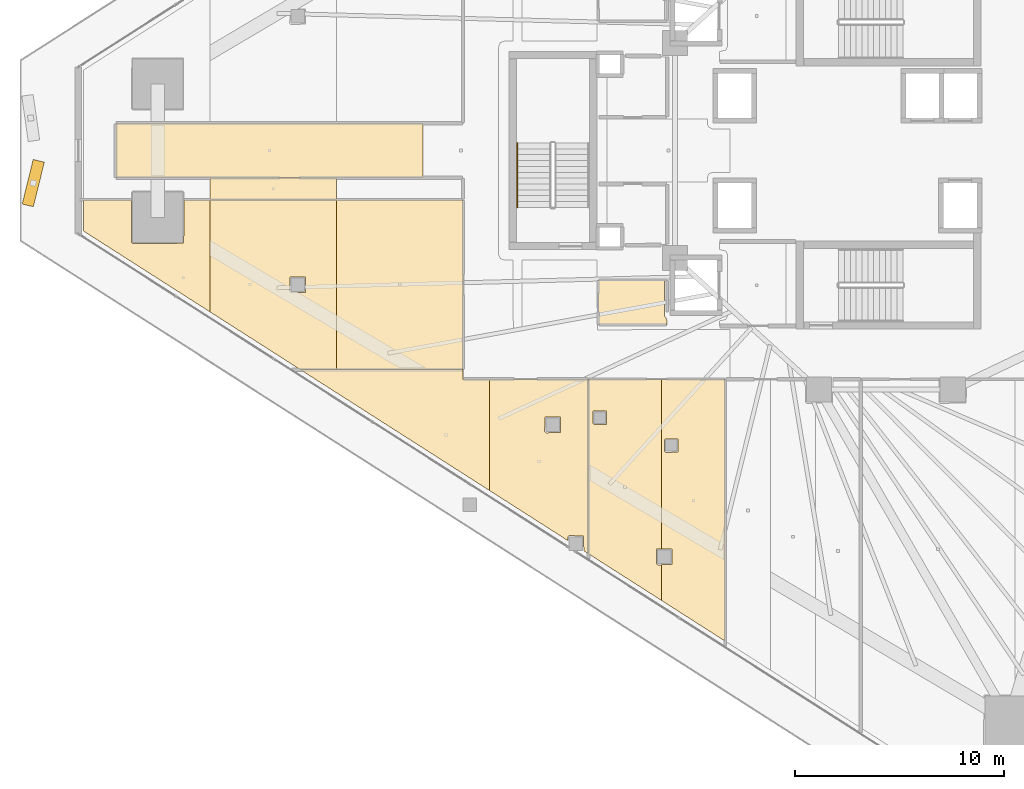
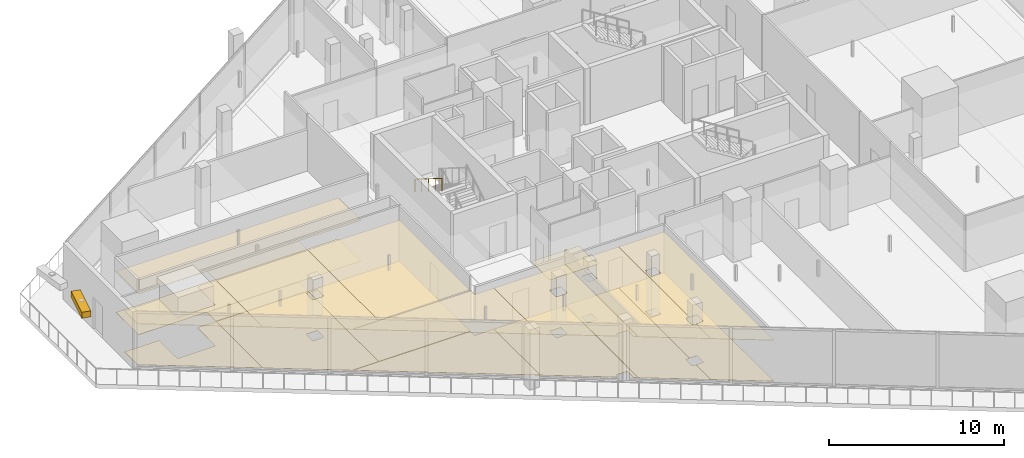
# One storey, part 38 of 46: 19 coverings, 1 railing, 1 shading device.
"""IFC4 building model written with IfcOpenShell, lengths in metres."""

from ifc_helpers import new_model, si_unit, direction, frame, origin, origin_2d, place, context, subcontext, project, spatial, polyline, rectangle, circle, outline, extrude, material, layer, layer_set, type_object, element, save


model = new_model("IFC4")

# Units and contexts
model_context = context("Model", 3, precision=1e-05, world=origin(), true_north=direction((0.0, 1.0)))
body_context = subcontext(model_context, "Body", "Model", "MODEL_VIEW")
ifc_project = project(units=[si_unit("LENGTHUNIT", "METRE"), si_unit("AREAUNIT", "SQUARE_METRE"), si_unit("VOLUMEUNIT", "CUBIC_METRE"), si_unit("PLANEANGLEUNIT", "RADIAN"), si_unit("MASSUNIT", "GRAM", prefix="KILO")], contexts=[model_context])

# Site, building, storey
site_placement = place(None, origin())
site = spatial("IfcSite", under=ifc_project, at=site_placement, CompositionType="ELEMENT")
building_placement = place(site_placement, origin())
building = spatial("IfcBuilding", under=site, at=building_placement, Name="Qorvath Tower", CompositionType="ELEMENT")
storey_placement = place(building_placement, frame((0.0, 0.0, 87.0)))
storey = spatial("IfcBuildingStorey", under=building, at=storey_placement, Name="L19", CompositionType="ELEMENT", Elevation=87.0)

# Coverings
ifc_material_1 = material(Name="Acoustic mineral fibre ceiling tile", Category="gypsum")
ifc_layer_1 = layer(ifc_material_1, 0.030029296875)
ifc_layer_set_1 = layer_set([ifc_layer_1], Name="COV-CEIL")
covering_type_1 = type_object("IfcCoveringType", Name="COV-CEIL", PredefinedType="CEILING", material=ifc_layer_set_1)
covering_1_placement = place(storey_placement, frame((0.0, 0.0, 2.85009765625)))
element("IfcCovering", 1, at=covering_1_placement, inside=storey, type_object=covering_type_1, Name="L19 Suspended Acoustic Ceiling 007", PredefinedType="CEILING", context=body_context, shape_type="SweptSolid", body=[
    extrude(outline(polyline([(-42.577880859375, -1.294921875), (-42.577880859375, 1.29638671875), (-57.289306640625, 1.294921875), (-57.289306640625, -1.294921875), (-42.577880859375, -1.294921875)])), origin(), (0.0, 0.0, 1.0), 0.030029296875),
])
covering_2_placement = place(storey_placement, frame((0.0, 0.0, 2.85009765625)))
element("IfcCovering", 2, at=covering_2_placement, inside=storey, type_object=covering_type_1, Name="L19 Suspended Acoustic Ceiling 020", PredefinedType="CEILING", context=body_context, shape_type="SweptSolid", body=[
    extrude(outline(polyline([(-34.64501953125, -10.962890625), (-34.64501953125, -19.31787109375), (-31.143798828125, -21.5556640625), (-31.143798828125, -19.84033203125), (-31.341064453125, -19.845458984375), (-31.401123046875, -19.785400390625), (-31.383544921875, -19.093017578125), (-31.143798828125, -19.093017578125), (-31.143798828125, -10.962890625), (-34.64501953125, -10.962890625)]), holes=[polyline([(-34.439208984375, -13.0673828125), (-34.421630859375, -12.47509765625), (-33.786865234375, -12.47509765625), (-33.786865234375, -13.10986328125), (-34.379150390625, -13.12744140625), (-34.439208984375, -13.0673828125)])]), origin(), (0.0, 0.0, 1.0), 0.030029296875),
])
covering_3_placement = place(storey_placement, frame((0.0, 0.0, 2.85009765625)))
element("IfcCovering", 3, at=covering_3_placement, inside=storey, type_object=covering_type_1, Name="L19 Suspended Acoustic Ceiling 021", PredefinedType="CEILING", context=body_context, shape_type="SweptSolid", body=[
    extrude(outline(polyline([(-31.143798828125, -10.962890625), (-31.143798828125, -19.093017578125), (-30.648681640625, -19.093017578125), (-30.648681640625, -19.827880859375), (-31.143798828125, -19.84033203125), (-31.143798828125, -21.5556640625), (-28.106689453125, -23.49658203125), (-28.106689453125, -10.962890625), (-31.143798828125, -10.962890625)]), holes=[polyline([(-31.01220703125, -14.3994140625), (-30.99462890625, -13.806884765625), (-30.35986328125, -13.806884765625), (-30.35986328125, -14.441650390625), (-30.9521484375, -14.459228515625), (-31.01220703125, -14.3994140625)])]), origin(), (0.0, 0.0, 1.0), 0.030029296875),
])
covering_4_placement = place(storey_placement, frame((0.0, 0.0, 2.85009765625)))
element("IfcCovering", 4, at=covering_4_placement, inside=storey, type_object=covering_type_1, Name="L19 Suspended Acoustic Ceiling 037", PredefinedType="CEILING", context=body_context, shape_type="SweptSolid", body=[
    extrude(outline(polyline([(-40.6630859375, -10.4990234375), (-48.443359375, -10.4990234375), (-39.3876953125, -16.28662109375), (-39.3876953125, -10.962890625), (-40.657958984375, -10.962890625), (-40.6630859375, -10.4990234375)])), origin(), (0.0, 0.0, 1.0), 0.030029296875),
])
covering_5_placement = place(storey_placement, frame((0.0, 0.0, 2.85009765625)))
element("IfcCovering", 5, at=covering_5_placement, inside=storey, type_object=covering_type_1, Name="L19 Suspended Acoustic Ceiling 038", PredefinedType="CEILING", context=body_context, shape_type="SweptSolid", body=[
    extrude(outline(polyline([(-39.3876953125, -10.962890625), (-39.3876953125, -16.28662109375), (-35.63671875, -18.68408203125), (-35.63671875, -18.50439453125), (-35.57666015625, -18.4443359375), (-34.88427734375, -18.4619140625), (-34.873779296875, -19.171630859375), (-34.6630859375, -19.306396484375), (-34.6630859375, -10.962890625), (-39.3876953125, -10.962890625)]), holes=[polyline([(-36.749755859375, -13.46044921875), (-36.732177734375, -12.76806640625), (-35.997314453125, -12.76806640625), (-35.997314453125, -13.5029296875), (-36.689697265625, -13.5205078125), (-36.749755859375, -13.46044921875)])]), origin(), (0.0, 0.0, 1.0), 0.030029296875),
])
covering_6_placement = place(storey_placement, frame((0.0, 0.0, 2.85009765625)))
element("IfcCovering", 6, at=covering_6_placement, inside=storey, type_object=covering_type_1, Name="L19 Suspended Acoustic Ceiling 039", PredefinedType="CEILING", context=body_context, shape_type="SweptSolid", body=[
    extrude(outline(polyline([(-56.54296875, -2.36474609375), (-58.83935546875, -2.36474609375), (-58.83935546875, -3.8544921875), (-52.780517578125, -7.726806640625), (-52.780517578125, -2.36474609375), (-54.02294921875, -2.36474609375), (-54.04052734375, -4.43701171875), (-56.48291015625, -4.45458984375), (-56.54296875, -4.39453125), (-56.54296875, -2.36474609375)])), origin(), (0.0, 0.0, 1.0), 0.030029296875),
])
covering_7_placement = place(storey_placement, frame((0.0, 0.0, 2.85009765625)))
element("IfcCovering", 7, at=covering_7_placement, inside=storey, type_object=covering_type_1, Name="L19 Suspended Acoustic Ceiling 040", PredefinedType="CEILING", context=body_context, shape_type="SweptSolid", body=[
    extrude(outline(polyline([(-52.780517578125, -2.36474609375), (-52.780517578125, -7.726806640625), (-48.471435546875, -10.48095703125), (-46.7216796875, -10.48095703125), (-46.7216796875, -2.36474609375), (-52.780517578125, -2.36474609375)]), holes=[polyline([(-48.96337890625, -6.74951171875), (-48.94580078125, -6.05712890625), (-48.2109375, -6.05712890625), (-48.2109375, -6.7919921875), (-48.9033203125, -6.8095703125), (-48.96337890625, -6.74951171875)])]), origin(), (0.0, 0.0, 1.0), 0.030029296875),
])
covering_8_placement = place(storey_placement, frame((0.0, 0.0, 2.85009765625)))
element("IfcCovering", 8, at=covering_8_placement, inside=storey, type_object=covering_type_1, Name="L19 Suspended Acoustic Ceiling 041", PredefinedType="CEILING", context=body_context, shape_type="SweptSolid", body=[
    extrude(outline(polyline([(-46.7216796875, -2.36474609375), (-46.7216796875, -10.48095703125), (-40.6630859375, -10.48095703125), (-40.6630859375, -2.36474609375), (-46.7216796875, -2.36474609375)])), origin(), (0.0, 0.0, 1.0), 0.030029296875),
])
covering_9_placement = place(storey_placement, frame((0.0, 0.0, 2.85009765625)))
element("IfcCovering", 9, at=covering_9_placement, inside=storey, type_object=covering_type_1, Name="L19 Suspended Acoustic Ceiling 044", PredefinedType="CEILING", context=body_context, shape_type="SweptSolid", body=[
    extrude(outline(polyline([(-52.780517578125, -1.31298828125), (-52.780517578125, -2.3466796875), (-46.7216796875, -2.3466796875), (-46.7216796875, -1.31298828125), (-52.780517578125, -1.31298828125)])), origin(), (0.0, 0.0, 1.0), 0.030029296875),
])
ifc_material_2 = material(Name="Low-VOC modular carpet tile", Category="textile")
ifc_layer_2 = layer(ifc_material_2, 0.014892578125)
ifc_layer_set_2 = layer_set([ifc_layer_2], Name="COV-FLOOR-CPT")
covering_type_2 = type_object("IfcCoveringType", Name="COV-FLOOR-CPT", PredefinedType="FLOORING", material=ifc_layer_set_2)
covering_10_placement = place(storey_placement, origin())
element("IfcCovering", 10, at=covering_10_placement, inside=storey, type_object=covering_type_2, Name="L19 Floor Finish 020", PredefinedType="FLOORING", context=body_context, shape_type="SweptSolid", body=[
    extrude(outline(polyline([(-34.64501953125, -10.962890625), (-34.64501953125, -19.31787109375), (-31.143798828125, -21.5556640625), (-31.143798828125, -19.84033203125), (-31.341064453125, -19.845458984375), (-31.401123046875, -19.785400390625), (-31.383544921875, -19.093017578125), (-31.143798828125, -19.093017578125), (-31.143798828125, -10.962890625), (-34.64501953125, -10.962890625)]), holes=[polyline([(-34.439208984375, -13.0673828125), (-34.421630859375, -12.47509765625), (-33.786865234375, -12.47509765625), (-33.786865234375, -13.10986328125), (-34.379150390625, -13.12744140625), (-34.439208984375, -13.0673828125)])]), origin(), (0.0, 0.0, 1.0), 0.014892578125),
])
covering_11_placement = place(storey_placement, origin())
element("IfcCovering", 11, at=covering_11_placement, inside=storey, type_object=covering_type_2, Name="L19 Floor Finish 021", PredefinedType="FLOORING", context=body_context, shape_type="SweptSolid", body=[
    extrude(outline(polyline([(-31.143798828125, -10.962890625), (-31.143798828125, -19.093017578125), (-30.648681640625, -19.093017578125), (-30.648681640625, -19.827880859375), (-31.143798828125, -19.84033203125), (-31.143798828125, -21.5556640625), (-28.106689453125, -23.49658203125), (-28.106689453125, -10.962890625), (-31.143798828125, -10.962890625)]), holes=[polyline([(-31.01220703125, -14.3994140625), (-30.99462890625, -13.806884765625), (-30.35986328125, -13.806884765625), (-30.35986328125, -14.441650390625), (-30.9521484375, -14.459228515625), (-31.01220703125, -14.3994140625)])]), origin(), (0.0, 0.0, 1.0), 0.014892578125),
])
covering_12_placement = place(storey_placement, origin())
element("IfcCovering", 12, at=covering_12_placement, inside=storey, type_object=covering_type_2, Name="L19 Floor Finish 037", PredefinedType="FLOORING", context=body_context, shape_type="SweptSolid", body=[
    extrude(outline(polyline([(-40.6630859375, -10.4990234375), (-48.443359375, -10.4990234375), (-39.3876953125, -16.28662109375), (-39.3876953125, -10.962890625), (-40.657958984375, -10.962890625), (-40.6630859375, -10.4990234375)])), origin(), (0.0, 0.0, 1.0), 0.014892578125),
])
covering_13_placement = place(storey_placement, origin())
element("IfcCovering", 13, at=covering_13_placement, inside=storey, type_object=covering_type_2, Name="L19 Floor Finish 038", PredefinedType="FLOORING", context=body_context, shape_type="SweptSolid", body=[
    extrude(outline(polyline([(-39.3876953125, -10.962890625), (-39.3876953125, -16.28662109375), (-35.63671875, -18.68408203125), (-35.63671875, -18.50439453125), (-35.57666015625, -18.4443359375), (-34.88427734375, -18.4619140625), (-34.873779296875, -19.171630859375), (-34.6630859375, -19.306396484375), (-34.6630859375, -10.962890625), (-39.3876953125, -10.962890625)]), holes=[polyline([(-36.749755859375, -13.46044921875), (-36.732177734375, -12.76806640625), (-35.997314453125, -12.76806640625), (-35.997314453125, -13.5029296875), (-36.689697265625, -13.5205078125), (-36.749755859375, -13.46044921875)])]), origin(), (0.0, 0.0, 1.0), 0.014892578125),
])
covering_14_placement = place(storey_placement, origin())
element("IfcCovering", 14, at=covering_14_placement, inside=storey, type_object=covering_type_2, Name="L19 Floor Finish 039", PredefinedType="FLOORING", context=body_context, shape_type="SweptSolid", body=[
    extrude(outline(polyline([(-56.54296875, -2.36474609375), (-58.83935546875, -2.36474609375), (-58.83935546875, -3.8544921875), (-52.780517578125, -7.726806640625), (-52.780517578125, -2.36474609375), (-54.02294921875, -2.36474609375), (-54.04052734375, -4.43701171875), (-56.48291015625, -4.45458984375), (-56.54296875, -4.39453125), (-56.54296875, -2.36474609375)])), origin(), (0.0, 0.0, 1.0), 0.014892578125),
])
covering_15_placement = place(storey_placement, origin())
element("IfcCovering", 15, at=covering_15_placement, inside=storey, type_object=covering_type_2, Name="L19 Floor Finish 040", PredefinedType="FLOORING", context=body_context, shape_type="SweptSolid", body=[
    extrude(outline(polyline([(-52.780517578125, -2.36474609375), (-52.780517578125, -7.726806640625), (-48.471435546875, -10.48095703125), (-46.7216796875, -10.48095703125), (-46.7216796875, -2.36474609375), (-52.780517578125, -2.36474609375)]), holes=[polyline([(-48.96337890625, -6.74951171875), (-48.94580078125, -6.05712890625), (-48.2109375, -6.05712890625), (-48.2109375, -6.7919921875), (-48.9033203125, -6.8095703125), (-48.96337890625, -6.74951171875)])]), origin(), (0.0, 0.0, 1.0), 0.014892578125),
])
covering_16_placement = place(storey_placement, origin())
element("IfcCovering", 16, at=covering_16_placement, inside=storey, type_object=covering_type_2, Name="L19 Floor Finish 041", PredefinedType="FLOORING", context=body_context, shape_type="SweptSolid", body=[
    extrude(outline(polyline([(-46.7216796875, -2.36474609375), (-46.7216796875, -10.48095703125), (-40.6630859375, -10.48095703125), (-40.6630859375, -2.36474609375), (-46.7216796875, -2.36474609375)])), origin(), (0.0, 0.0, 1.0), 0.014892578125),
])
covering_17_placement = place(storey_placement, origin())
element("IfcCovering", 17, at=covering_17_placement, inside=storey, type_object=covering_type_2, Name="L19 Floor Finish 044", PredefinedType="FLOORING", context=body_context, shape_type="SweptSolid", body=[
    extrude(outline(polyline([(-52.780517578125, -1.31298828125), (-52.780517578125, -2.3466796875), (-46.7216796875, -2.3466796875), (-46.7216796875, -1.31298828125), (-52.780517578125, -1.31298828125)])), origin(), (0.0, 0.0, 1.0), 0.014892578125),
])
ifc_material_3 = material(Name="Polished epoxy terrazzo flooring", Category="concrete")
ifc_layer_3 = layer(ifc_material_3, 0.02001953125)
ifc_layer_set_3 = layer_set([ifc_layer_3], Name="COV-FLOOR-TRZ")
covering_type_3 = type_object("IfcCoveringType", Name="COV-FLOOR-TRZ", PredefinedType="FLOORING", material=ifc_layer_set_3)
covering_18_placement = place(storey_placement, origin())
element("IfcCovering", 18, at=covering_18_placement, inside=storey, type_object=covering_type_3, Name="L19 Floor Finish 005", PredefinedType="FLOORING", context=body_context, shape_type="SweptSolid", body=[
    extrude(outline(polyline([(-30.885009765625, -8.344970703125), (-30.885009765625, -8.108154296875), (-31.010009765625, -7.909912109375), (-31.010009765625, -6.205078125), (-34.175048828125, -6.205078125), (-34.175048828125, -8.344970703125), (-30.885009765625, -8.344970703125)])), origin(), (0.0, 0.0, 1.0), 0.014892578125),
])
covering_19_placement = place(storey_placement, origin())
element("IfcCovering", 19, at=covering_19_placement, inside=storey, type_object=covering_type_3, Name="L19 Floor Finish 007", PredefinedType="FLOORING", context=body_context, shape_type="SweptSolid", body=[
    extrude(outline(polyline([(-42.577880859375, -1.294921875), (-42.577880859375, 1.29638671875), (-57.289306640625, 1.294921875), (-57.289306640625, -1.294921875), (-42.577880859375, -1.294921875)])), origin(), (0.0, 0.0, 1.0), 0.014892578125),
])

# Railing
ifc_material_4 = material(Name="Brushed stainless steel AISI 304", Category="steel")
railing_type = type_object("IfcRailingType", Name="RL-STR-HND", PredefinedType="HANDRAIL", material=ifc_material_4)
railing_placement = place(storey_placement, frame((-38.06005859375, 0.360107421875, 2.27490234375)))
element("IfcRailing", 20, at=railing_placement, inside=storey, type_object=railing_type, Name="L19 TS3 stair handrail 2", PredefinedType="HANDRAIL", context=body_context, shape_type="SweptSolid", body=[
    extrude(circle(Radius=0.02392578125, at=origin_2d()), frame((0.0, 0.0, 0.8759765625), z_axis=(0.0, -0.847998304005, 0.529998940003), x_axis=(1.0, 0.0, 0.0)), (0.0, 0.0, 1.0), 3.632080078125),
    extrude(circle(Radius=0.02099609375, at=origin_2d()), origin(), (0.0, 0.0, 1.0), 0.851806640625),
    extrude(circle(Radius=0.02099609375, at=origin_2d()), frame((0.0, -0.77001953125, 0.481201171875)), (0.0, 0.0, 1.0), 0.851806640625),
    extrude(circle(Radius=0.02099609375, at=origin_2d()), frame((0.0, -1.5400390625, 0.96240234375)), (0.0, 0.0, 1.0), 0.851806640625),
    extrude(circle(Radius=0.02099609375, at=origin_2d()), frame((0.0, -2.31005859375, 1.44384765625)), (0.0, 0.0, 1.0), 0.851806640625),
    extrude(circle(Radius=0.02099609375, at=origin_2d()), frame((0.0, -3.080078125, 1.925048828125)), (0.0, 0.0, 1.0), 0.851806640625),
])

# Shading device
ifc_material_5 = material(Name="Anodised bronze-champagne aluminium", Category="aluminium")
shading_device_type = type_object("IfcShadingDeviceType", Name="SD-LOUVRE", PredefinedType="JALOUSIE", material=ifc_material_5)
shading_device_placement = place(storey_placement, frame((-61.245849609375, -1.557861328125, 3.5), z_axis=(0.0, 0.0, 1.0), x_axis=(-0.23897750928, -0.971025102692, 0.0)))
element("IfcShadingDevice", 21, at=shading_device_placement, inside=storey, type_object=shading_device_type, Name="Sinusoidal Wave Louvre Blade L19-02", PredefinedType="NOTDEFINED", context=body_context, shape_type="SweptSolid", body=[
    extrude(rectangle(XDim=2.199951171875, YDim=0.550048828125, at=origin_2d()), origin(), (0.0, 0.0, 1.0), 0.419921875),
])

save(model, "model.ifc")
